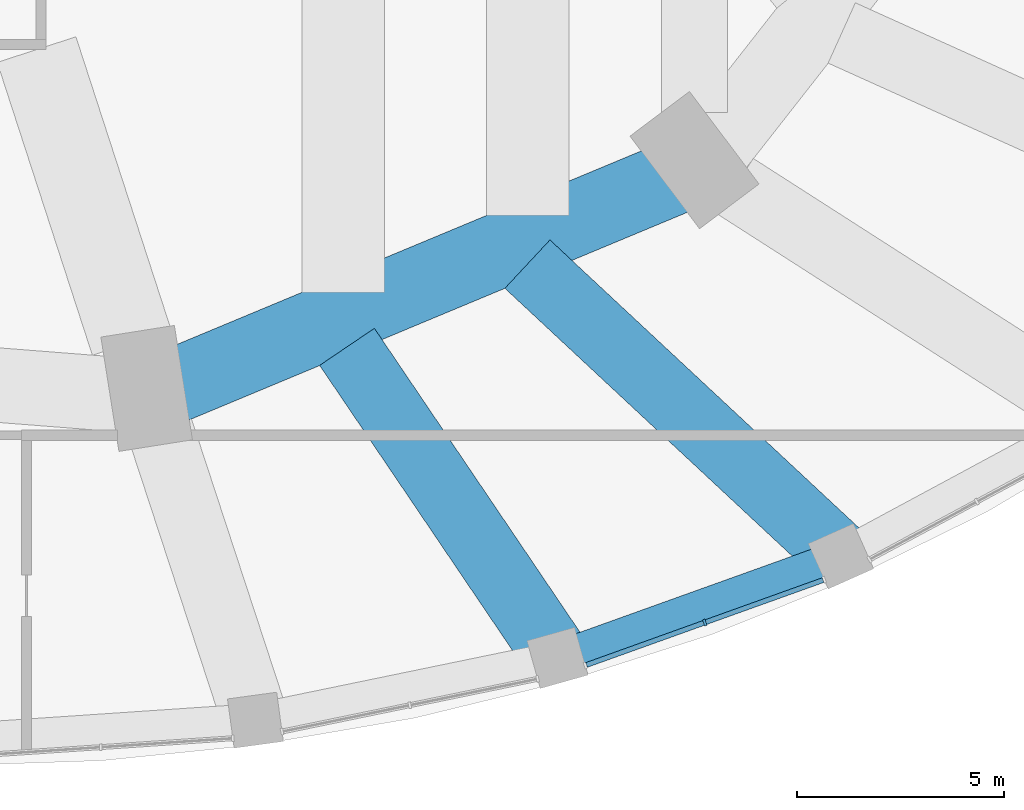
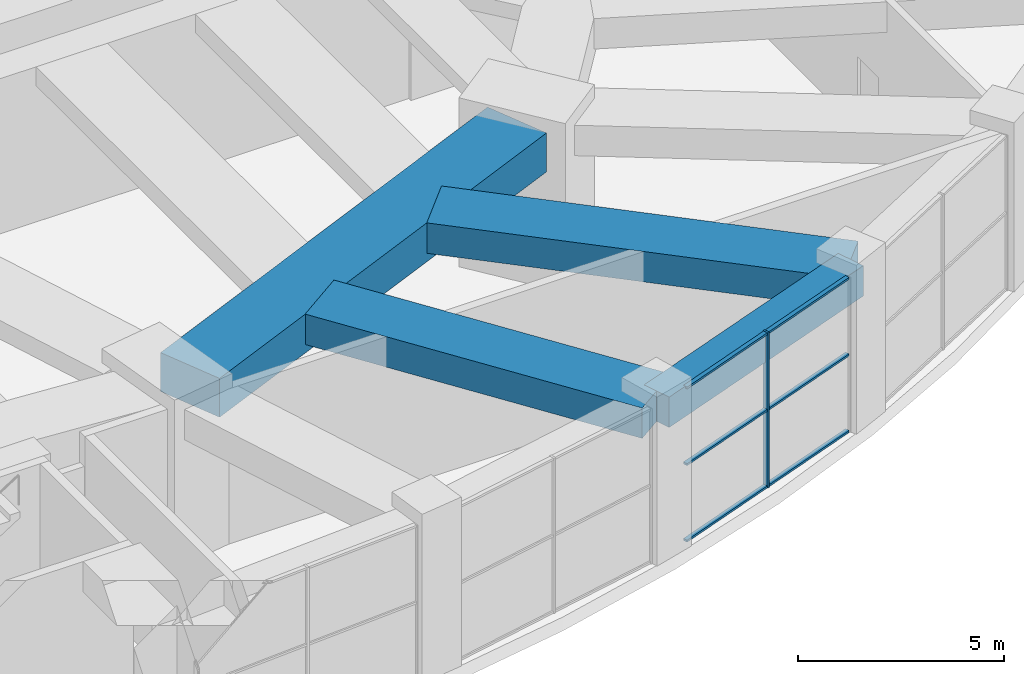
# One storey, part 6 of 32: 7 members, 4 beams, 1 element without a shape of its own.
"""IFC4 building model written with IfcOpenShell, lengths in metres."""

from ifc_helpers import new_model, si_unit, direction, frame, origin, origin_2d, place, context, subcontext, project, spatial, rectangle, extrude, material, material_profile, profile_set, type_object, element, aggregate, save


model = new_model("IFC4")

# Units and contexts
model_context = context("Model", 3, precision=1e-05, world=origin(), true_north=direction((0.0, 1.0)))
body_context = subcontext(model_context, "Body", "Model", "MODEL_VIEW")
ifc_project = project(units=[si_unit("LENGTHUNIT", "METRE"), si_unit("AREAUNIT", "SQUARE_METRE"), si_unit("VOLUMEUNIT", "CUBIC_METRE"), si_unit("PLANEANGLEUNIT", "RADIAN"), si_unit("MASSUNIT", "GRAM", prefix="KILO")], contexts=[model_context])

# Site, building, storey
site_placement = place(None, origin())
site = spatial("IfcSite", under=ifc_project, at=site_placement, CompositionType="ELEMENT")
building_placement = place(site_placement, origin())
building = spatial("IfcBuilding", under=site, at=building_placement, Name="Taillehof Tower", CompositionType="ELEMENT")
storey_placement = place(building_placement, frame((0.0, 0.0, 7.5)))
storey = spatial("IfcBuildingStorey", under=building, at=storey_placement, Name="L01", CompositionType="ELEMENT", Elevation=7.5)

# Beams
ifc_material_1 = material(Name="Concrete C50/60", Category="concrete")
ifc_material_profile_1 = material_profile(ifc_material_1, rectangle(XDim=0.800048828125, YDim=0.89990234375, at=origin_2d()), Name="RC 800x900")
ifc_profile_set_1 = profile_set([ifc_material_profile_1], Name="Concrete C50/60")
beam_type_1 = type_object("IfcBeamType", Name="Podium edge beam C50/60 800x900", PredefinedType="BEAM", material=ifc_profile_set_1)
beam_1_placement = place(storey_placement, frame((14.84375, -31.3857421875, 4.139892578125), z_axis=(0.941227460002, 0.337773398209, 0.0), x_axis=(-0.337773398209, 0.941227460002, 0.0)))
element("IfcBeam", 1, at=beam_1_placement, inside=storey, type_object=beam_type_1, Name="Podium edge beam PB30", PredefinedType="BEAM", context=body_context, shape_type="SweptSolid", body=[
    extrude(rectangle(XDim=0.800048828125, YDim=0.89990234375, at=origin_2d()), origin(), (0.0, 0.0, 1.0), 7.284423828125),
])
ifc_material_2 = material(Name="Concrete C50/60", Category="concrete")
ifc_material_profile_2 = material_profile(ifc_material_2, rectangle(XDim=1.60009765625, YDim=0.89990234375, at=origin_2d()), Name="RC 1600x900")
ifc_profile_set_2 = profile_set([ifc_material_profile_2], Name="Concrete C50/60")
beam_type_2 = type_object("IfcBeamType", Name="Podium radial beam C50/60 1600x900", PredefinedType="BEAM", material=ifc_profile_set_2)
beam_2_placement = place(storey_placement, frame((14.84375, -31.3857421875, 4.139892578125), z_axis=(-0.56038581489, 0.828231693712, 0.0), x_axis=(-0.828231693712, -0.56038581489, 0.0)))
element("IfcBeam", 2, at=beam_2_placement, inside=storey, type_object=beam_type_2, Name="Podium radial beam PR30", PredefinedType="BEAM", context=body_context, shape_type="SweptSolid", body=[
    extrude(rectangle(XDim=1.60009765625, YDim=0.89990234375, at=origin_2d()), origin(), (0.0, 0.0, 1.0), 9.085693359375),
])
beam_3_placement = place(storey_placement, frame((21.699951171875, -28.92529296875, 4.139892578125), z_axis=(-0.73163305696, 0.681698665074, 0.0), x_axis=(-0.681698665074, -0.73163305696, 0.0)))
element("IfcBeam", 3, at=beam_3_placement, inside=storey, type_object=beam_type_2, Name="Podium radial beam PR31", PredefinedType="BEAM", context=body_context, shape_type="SweptSolid", body=[
    extrude(rectangle(XDim=1.60009765625, YDim=0.89990234375, at=origin_2d()), origin(), (0.0, 0.0, 1.0), 10.365234375),
])

# Curtain wall, members
ifc_material_3 = material(Name="Aluminium curtain wall with Clear low-emissivity double glazing", Category="aluminium")
curtain_wall_type = type_object("IfcCurtainWallType", Name="Podium window wall curtain wall", PredefinedType="USERDEFINED", material=ifc_material_3)
curtain_wall_placement = place(storey_placement, origin())
curtain_wall = element("IfcCurtainWall", 4, at=curtain_wall_placement, inside=storey, type_object=curtain_wall_type, Name="Podium window wall L01 bay 30", ObjectType="WINDOW WALL", PredefinedType="USERDEFINED")
ifc_material_4 = material(Name="Aluminium mullion", Category="aluminium")
ifc_material_profile_3 = material_profile(ifc_material_4, rectangle(XDim=0.159912109375, YDim=0.06005859375, at=origin_2d()), Name="AL 60x160")
ifc_profile_set_3 = profile_set([ifc_material_profile_3], Name="Aluminium mullion")
member_type_1 = type_object("IfcMemberType", Name="Podium window wall mullion 60x160", PredefinedType="MULLION", material=ifc_profile_set_3)
member_1_placement = place(storey_placement, frame((18.4072265625, -30.5302734375, 0.0), z_axis=(0.0, 0.0, 1.0), x_axis=(-0.337798502496, 0.94121845058, 0.0)))
member_1 = element("IfcMember", 5, at=member_1_placement, type_object=member_type_1, Name="CT230 mullion 2", PredefinedType="MULLION", context=body_context, shape_type="SweptSolid", body=[
    extrude(rectangle(XDim=0.159912109375, YDim=0.06005859375, at=origin_2d()), origin(), (0.0, 0.0, 1.0), 4.590087890625),
])
ifc_material_5 = material(Name="Aluminium transom", Category="aluminium")
ifc_material_profile_4 = material_profile(ifc_material_5, rectangle(XDim=0.1201171875, YDim=0.06005859375, at=origin_2d()), Name="AL 120x60")
ifc_profile_set_4 = profile_set([ifc_material_profile_4], Name="Aluminium transom")
member_type_2 = type_object("IfcMemberType", Name="Podium window wall transom 120x60", PredefinedType="USERDEFINED", material=ifc_profile_set_4)
member_2_placement = place(storey_placement, frame((15.546142578125, -31.556884765625, 0.030029296875), z_axis=(0.941225092519, 0.337779995281, 0.0), x_axis=(-0.337779995281, 0.941225092519, 0.0)))
member_2 = element("IfcMember", 6, at=member_2_placement, type_object=member_type_2, Name="CT230 transom 1.1", ObjectType="TRANSOM", PredefinedType="USERDEFINED", context=body_context, shape_type="SweptSolid", body=[
    extrude(rectangle(XDim=0.1201171875, YDim=0.06005859375, at=origin_2d()), origin(), (0.0, 0.0, 1.0), 3.009765625),
])
member_3_placement = place(storey_placement, frame((15.546142578125, -31.556884765625, 2.294921875), z_axis=(0.941225092519, 0.337779995281, 0.0), x_axis=(-0.337779995281, 0.941225092519, 0.0)))
member_3 = element("IfcMember", 7, at=member_3_placement, type_object=member_type_2, Name="CT230 transom 1.2", ObjectType="TRANSOM", PredefinedType="USERDEFINED", context=body_context, shape_type="SweptSolid", body=[
    extrude(rectangle(XDim=0.1201171875, YDim=0.06005859375, at=origin_2d()), origin(), (0.0, 0.0, 1.0), 3.009765625),
])
member_4_placement = place(storey_placement, frame((15.546142578125, -31.556884765625, 4.56005859375), z_axis=(0.941225092519, 0.337779995281, 0.0), x_axis=(-0.337779995281, 0.941225092519, 0.0)))
member_4 = element("IfcMember", 8, at=member_4_placement, type_object=member_type_2, Name="CT230 transom 1.3", ObjectType="TRANSOM", PredefinedType="USERDEFINED", context=body_context, shape_type="SweptSolid", body=[
    extrude(rectangle(XDim=0.1201171875, YDim=0.06005859375, at=origin_2d()), origin(), (0.0, 0.0, 1.0), 3.009765625),
])
member_5_placement = place(storey_placement, frame((18.435546875, -30.52001953125, 0.030029296875), z_axis=(0.941215836147, 0.337805787081, 0.0), x_axis=(-0.337805787081, 0.941215836147, 0.0)))
member_5 = element("IfcMember", 9, at=member_5_placement, type_object=member_type_2, Name="CT230 transom 2.1", ObjectType="TRANSOM", PredefinedType="USERDEFINED", context=body_context, shape_type="SweptSolid", body=[
    extrude(rectangle(XDim=0.1201171875, YDim=0.06005859375, at=origin_2d()), origin(), (0.0, 0.0, 1.0), 3.009521484375),
])
member_6_placement = place(storey_placement, frame((18.435546875, -30.52001953125, 2.294921875), z_axis=(0.941215836147, 0.337805787081, 0.0), x_axis=(-0.337805787081, 0.941215836147, 0.0)))
member_6 = element("IfcMember", 10, at=member_6_placement, type_object=member_type_2, Name="CT230 transom 2.2", ObjectType="TRANSOM", PredefinedType="USERDEFINED", context=body_context, shape_type="SweptSolid", body=[
    extrude(rectangle(XDim=0.1201171875, YDim=0.06005859375, at=origin_2d()), origin(), (0.0, 0.0, 1.0), 3.009521484375),
])
member_7_placement = place(storey_placement, frame((18.435546875, -30.52001953125, 4.56005859375), z_axis=(0.941215836147, 0.337805787081, 0.0), x_axis=(-0.337805787081, 0.941215836147, 0.0)))
member_7 = element("IfcMember", 11, at=member_7_placement, type_object=member_type_2, Name="CT230 transom 2.3", ObjectType="TRANSOM", PredefinedType="USERDEFINED", context=body_context, shape_type="SweptSolid", body=[
    extrude(rectangle(XDim=0.1201171875, YDim=0.06005859375, at=origin_2d()), origin(), (0.0, 0.0, 1.0), 3.009521484375),
])
aggregate(curtain_wall, [member_1, member_2, member_3, member_4, member_5, member_6, member_7])

# Beam
ifc_material_6 = material(Name="Concrete C50/60", Category="concrete")
ifc_material_profile_5 = material_profile(ifc_material_6, rectangle(XDim=1.800048828125, YDim=1.14990234375, at=origin_2d()), Name="RC 1800x1150")
ifc_profile_set_5 = profile_set([ifc_material_profile_5], Name="Concrete C50/60")
beam_type_3 = type_object("IfcBeamType", Name="Ring floor beam C50/60 1800x1150", PredefinedType="BEAM", material=ifc_profile_set_5)
beam_4_placement = place(storey_placement, frame((5.588134765625, -24.798583984375, 4.014892578125), z_axis=(0.923036542488, 0.384712283703, 0.0), x_axis=(-0.384712283703, 0.923036542488, 0.0)))
element("IfcBeam", 12, at=beam_4_placement, inside=storey, type_object=beam_type_3, Name="Ring floor beam RG10", PredefinedType="BEAM", context=body_context, shape_type="SweptSolid", body=[
    extrude(rectangle(XDim=1.800048828125, YDim=1.14990234375, at=origin_2d()), origin(), (0.0, 0.0, 1.0), 13.0595703125),
])

save(model, "model.ifc")
